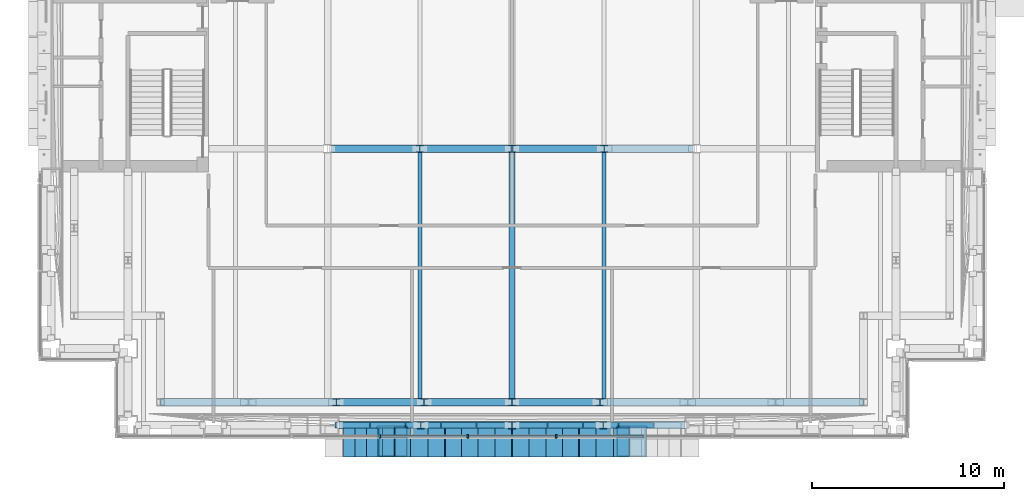
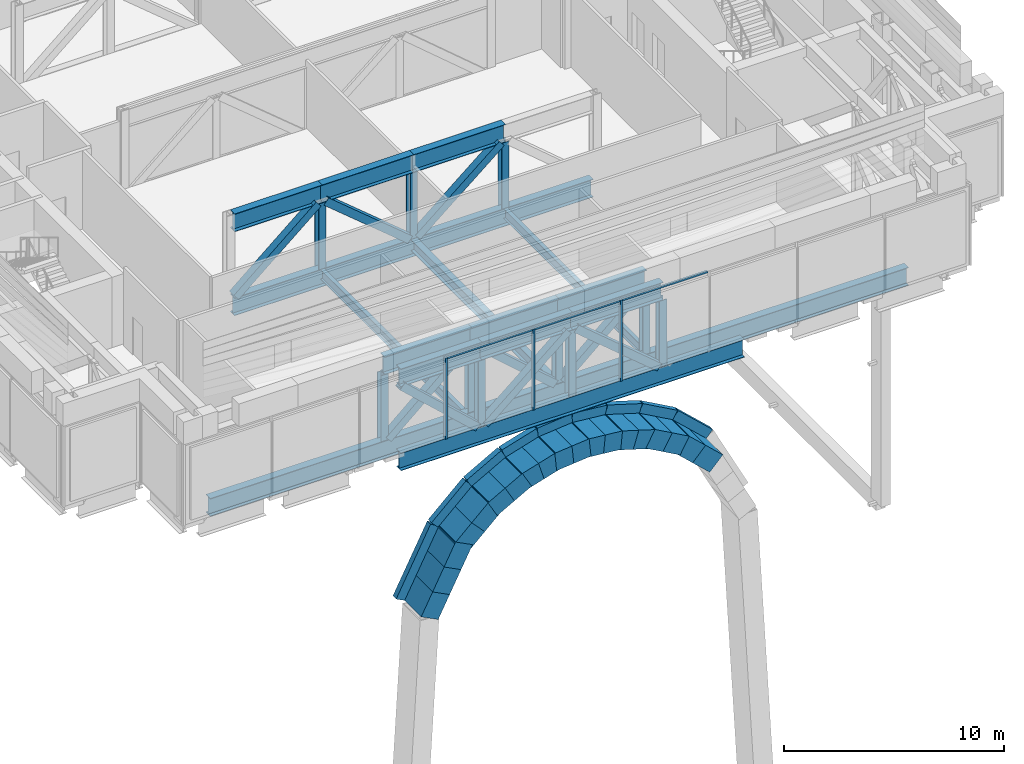
# One storey, part 3 of 39: 56 members, 12 beams, 1 element without a shape of its own.
"""IFC4 building model written with IfcOpenShell, lengths in metres."""

from ifc_helpers import new_model, si_unit, direction, frame, origin, origin_2d, place, context, subcontext, project, spatial, rectangle, hollow_rectangle, i_section, extrude, material, material_profile, profile_set, type_object, element, aggregate, save


model = new_model("IFC4")

# Units and contexts
model_context = context("Model", 3, precision=1e-05, world=origin(), true_north=direction((0.0, 1.0)))
body_context = subcontext(model_context, "Body", "Model", "MODEL_VIEW")
ifc_project = project(units=[si_unit("LENGTHUNIT", "METRE"), si_unit("AREAUNIT", "SQUARE_METRE"), si_unit("VOLUMEUNIT", "CUBIC_METRE"), si_unit("PLANEANGLEUNIT", "RADIAN"), si_unit("MASSUNIT", "GRAM", prefix="KILO")], contexts=[model_context])

# Site, building, storey
site_placement = place(None, origin())
site = spatial("IfcSite", under=ifc_project, at=site_placement, CompositionType="ELEMENT")
building_placement = place(site_placement, origin())
building = spatial("IfcBuilding", under=site, at=building_placement, Name="Cobrizo Arcos Hotel Tower", CompositionType="ELEMENT")
storey_placement = place(building_placement, frame((0.0, 0.0, 84.5)))
storey = spatial("IfcBuildingStorey", under=building, at=storey_placement, Name="L20", CompositionType="ELEMENT", Elevation=84.5)

# Beams
ifc_material_1 = material(Name="Steel ASTM A572 Grade 50", Category="steel")
ifc_material_profile_1 = material_profile(ifc_material_1, hollow_rectangle(XDim=0.300048828125, YDim=0.5, WallThickness=0.02001953125, at=origin_2d()), Name="BOX 300X500X20")
ifc_profile_set_1 = profile_set([ifc_material_profile_1], Name="Steel ASTM A572 Grade 50")
beam_type_1 = type_object("IfcBeamType", Name="BOX 300X500X20 arch rib", PredefinedType="BEAM", material=ifc_profile_set_1)
beam_1_placement = place(storey_placement, frame((-9.0, -24.0, -8.460205078125), z_axis=(0.455923660176, 0.0, 0.890018885245), x_axis=(0.0, 1.0, 0.0)))
element("IfcBeam", 1, at=beam_1_placement, inside=storey, type_object=beam_type_1, Name="Arch rib AR1, arch A, south face, no. 01", PredefinedType="BEAM", context=body_context, shape_type="SweptSolid", body=[
    extrude(hollow_rectangle(XDim=0.300048828125, YDim=0.5, WallThickness=0.02001953125, at=origin_2d()), origin(), (0.0, 0.0, 1.0), 3.9482421875),
])
beam_2_placement = place(storey_placement, frame((-7.199951171875, -24.0, -4.9462890625), z_axis=(0.73088053178, 0.0, 0.682505419952), x_axis=(0.0, 1.0, 0.0)))
element("IfcBeam", 2, at=beam_2_placement, inside=storey, type_object=beam_type_1, Name="Arch rib AR1, arch A, south face, no. 02", PredefinedType="BEAM", context=body_context, shape_type="SweptSolid", body=[
    extrude(hollow_rectangle(XDim=0.300048828125, YDim=0.5, WallThickness=0.02001953125, at=origin_2d()), origin(), (0.0, 0.0, 1.0), 2.462890625),
])
beam_3_placement = place(storey_placement, frame((-5.39990234375, -24.0, -3.265380859375), z_axis=(0.873832790044, 0.0, 0.486226547037), x_axis=(0.0, 1.0, 0.0)))
element("IfcBeam", 3, at=beam_3_placement, inside=storey, type_object=beam_type_1, Name="Arch rib AR1, arch A, south face, no. 03", PredefinedType="BEAM", context=body_context, shape_type="SweptSolid", body=[
    extrude(hollow_rectangle(XDim=0.300048828125, YDim=0.5, WallThickness=0.02001953125, at=origin_2d()), origin(), (0.0, 0.0, 1.0), 2.0595703125),
])
beam_4_placement = place(storey_placement, frame((-3.60009765625, -24.0, -2.263916015625), z_axis=(0.956599999026, 0.0, 0.291404258485), x_axis=(0.0, 1.0, 0.0)))
element("IfcBeam", 4, at=beam_4_placement, inside=storey, type_object=beam_type_1, Name="Arch rib AR1, arch A, south face, no. 04", PredefinedType="BEAM", context=body_context, shape_type="SweptSolid", body=[
    extrude(hollow_rectangle(XDim=0.300048828125, YDim=0.5, WallThickness=0.02001953125, at=origin_2d()), origin(), (0.0, 0.0, 1.0), 1.8818359375),
])
for number, where, z_axis, x_axis, name in (
    (5, (-1.800048828125, -24.0, -1.715576171875), (0.995278769418, 0.0, 0.097057566148), (0.0, 1.0, 0.0), "Arch rib AR1, arch A, south face, no. 05"),
    (6, (0.0, -24.0, -1.5400390625), (0.995278769418, 0.0, -0.097057566148), (0.0, 1.0, 0.0), "Arch rib AR1, arch A, south face, no. 06"),
):
    element("IfcBeam", number, at=place(storey_placement, frame(where, z_axis=z_axis, x_axis=x_axis)), inside=storey, type_object=beam_type_1, Name=name, PredefinedType="BEAM", context=body_context, shape_type="SweptSolid", body=[
        extrude(hollow_rectangle(XDim=0.300048828125, YDim=0.5, WallThickness=0.02001953125, at=origin_2d()), origin(), (0.0, 0.0, 1.0), 1.80859375),
    ])
beam_5_placement = place(storey_placement, frame((1.800048828125, -24.0, -1.715576171875), z_axis=(0.956599999026, 0.0, -0.291404258485), x_axis=(0.0, 1.0, 0.0)))
element("IfcBeam", 7, at=beam_5_placement, inside=storey, type_object=beam_type_1, Name="Arch rib AR1, arch A, south face, no. 07", PredefinedType="BEAM", context=body_context, shape_type="SweptSolid", body=[
    extrude(hollow_rectangle(XDim=0.300048828125, YDim=0.5, WallThickness=0.02001953125, at=origin_2d()), origin(), (0.0, 0.0, 1.0), 1.8818359375),
])
beam_6_placement = place(storey_placement, frame((3.60009765625, -24.0, -2.263916015625), z_axis=(0.873832790044, 0.0, -0.486226547037), x_axis=(0.0, 1.0, 0.0)))
element("IfcBeam", 8, at=beam_6_placement, inside=storey, type_object=beam_type_1, Name="Arch rib AR1, arch A, south face, no. 08", PredefinedType="BEAM", context=body_context, shape_type="SweptSolid", body=[
    extrude(hollow_rectangle(XDim=0.300048828125, YDim=0.5, WallThickness=0.02001953125, at=origin_2d()), origin(), (0.0, 0.0, 1.0), 2.0595703125),
])
beam_7_placement = place(storey_placement, frame((5.39990234375, -24.0, -3.265380859375), z_axis=(0.73088053178, 0.0, -0.682505419952), x_axis=(0.0, 1.0, 0.0)))
element("IfcBeam", 9, at=beam_7_placement, inside=storey, type_object=beam_type_1, Name="Arch rib AR1, arch A, south face, no. 09", PredefinedType="BEAM", context=body_context, shape_type="SweptSolid", body=[
    extrude(hollow_rectangle(XDim=0.300048828125, YDim=0.5, WallThickness=0.02001953125, at=origin_2d()), origin(), (0.0, 0.0, 1.0), 2.462890625),
])

# Curtain wall, members
ifc_material_2 = material(Name="Aluminium 6063-T6 anodised bronze", Category="aluminium")
curtain_wall_type = type_object("IfcCurtainWallType", Name="CW-D plant louvre wall", PredefinedType="NOTDEFINED", material=ifc_material_2)
curtain_wall_placement = place(storey_placement, origin())
curtain_wall = element("IfcCurtainWall", 10, at=curtain_wall_placement, inside=storey, type_object=curtain_wall_type, Name="CW-D L20 S face", PredefinedType="NOTDEFINED")
ifc_material_profile_2 = material_profile(ifc_material_2, rectangle(XDim=0.14990234375, YDim=0.10009765625, at=origin_2d()), Name="CW-D mullion 150x100")
ifc_profile_set_2 = profile_set([ifc_material_profile_2], Name="Aluminium 6063-T6 anodised bronze")
member_type_1 = type_object("IfcMemberType", Name="CW-D mullion 150x100", PredefinedType="MULLION", material=ifc_profile_set_2)
member_1_placement = place(storey_placement, frame((-6.88330078125, -24.574951171875, 0.0), z_axis=(0.0, 0.0, 1.0), x_axis=(0.0, -1.0, 0.0)))
member_1 = element("IfcMember", 11, at=member_1_placement, type_object=member_type_1, Name="CW-D mullion 4", PredefinedType="MULLION", context=body_context, shape_type="SweptSolid", body=[
    extrude(rectangle(XDim=0.14990234375, YDim=0.10009765625, at=origin_2d()), origin(), (0.0, 0.0, 1.0), 4.5),
])
member_2_placement = place(storey_placement, frame((-2.29443359375, -24.574951171875, 0.0), z_axis=(0.0, 0.0, 1.0), x_axis=(0.0, -1.0, 0.0)))
member_2 = element("IfcMember", 12, at=member_2_placement, type_object=member_type_1, Name="CW-D mullion 5", PredefinedType="MULLION", context=body_context, shape_type="SweptSolid", body=[
    extrude(rectangle(XDim=0.14990234375, YDim=0.10009765625, at=origin_2d()), origin(), (0.0, 0.0, 1.0), 4.5),
])
member_3_placement = place(storey_placement, frame((2.29443359375, -24.574951171875, 0.0), z_axis=(0.0, 0.0, 1.0), x_axis=(0.0, -1.0, 0.0)))
member_3 = element("IfcMember", 13, at=member_3_placement, type_object=member_type_1, Name="CW-D mullion 6", PredefinedType="MULLION", context=body_context, shape_type="SweptSolid", body=[
    extrude(rectangle(XDim=0.14990234375, YDim=0.10009765625, at=origin_2d()), origin(), (0.0, 0.0, 1.0), 4.5),
])
ifc_material_profile_3 = material_profile(ifc_material_2, rectangle(XDim=0.10009765625, YDim=0.10009765625, at=origin_2d()), Name="CW-D transom 100x100")
ifc_profile_set_3 = profile_set([ifc_material_profile_3], Name="Aluminium 6063-T6 anodised bronze")
member_type_2 = type_object("IfcMemberType", Name="CW-D transom 100x100", PredefinedType="USERDEFINED", material=ifc_profile_set_3)
member_4_placement = place(storey_placement, frame((-6.833251953125, -24.574951171875, 4.449951171875), z_axis=(1.0, 0.0, 0.0), x_axis=(0.0, 1.0, 0.0)))
member_4 = element("IfcMember", 14, at=member_4_placement, type_object=member_type_2, Name="CW-D transom 816", ObjectType="TRANSOM", PredefinedType="USERDEFINED", context=body_context, shape_type="SweptSolid", body=[
    extrude(rectangle(XDim=0.10009765625, YDim=0.10009765625, at=origin_2d()), origin(), (0.0, 0.0, 1.0), 4.48876953125),
])
member_5_placement = place(storey_placement, frame((-2.244384765625, -24.574951171875, 4.449951171875), z_axis=(1.0, 0.0, 0.0), x_axis=(0.0, 1.0, 0.0)))
member_5 = element("IfcMember", 15, at=member_5_placement, type_object=member_type_2, Name="CW-D transom 817", ObjectType="TRANSOM", PredefinedType="USERDEFINED", context=body_context, shape_type="SweptSolid", body=[
    extrude(rectangle(XDim=0.10009765625, YDim=0.10009765625, at=origin_2d()), origin(), (0.0, 0.0, 1.0), 4.48876953125),
])
member_6_placement = place(storey_placement, frame((2.344482421875, -24.574951171875, 4.449951171875), z_axis=(1.0, 0.0, 0.0), x_axis=(0.0, 1.0, 0.0)))
member_6 = element("IfcMember", 16, at=member_6_placement, type_object=member_type_2, Name="CW-D transom 818", ObjectType="TRANSOM", PredefinedType="USERDEFINED", context=body_context, shape_type="SweptSolid", body=[
    extrude(rectangle(XDim=0.10009765625, YDim=0.10009765625, at=origin_2d()), origin(), (0.0, 0.0, 1.0), 4.48876953125),
])
aggregate(curtain_wall, [member_1, member_2, member_3, member_4, member_5, member_6])

# Members
ifc_material_3 = material(Name="Steel ASTM A500 Grade C", Category="steel")
ifc_material_profile_4 = material_profile(ifc_material_3, hollow_rectangle(XDim=0.406494140625, YDim=0.406494140625, WallThickness=0.014892578125, at=origin_2d()), Name="HSS16X16X5/8")
ifc_profile_set_4 = profile_set([ifc_material_profile_4], Name="Steel ASTM A500 Grade C")
member_type_3 = type_object("IfcMemberType", Name="HSS16X16X5/8 truss diagonal", PredefinedType="BRACE", material=ifc_profile_set_4)
member_7_placement = place(storey_placement, frame((-8.919921875, -24.0, 3.359375), z_axis=(0.735279996006, 0.0, -0.677763474579), x_axis=(0.0, 1.0, 0.0)))
element("IfcMember", 17, at=member_7_placement, inside=storey, type_object=member_type_3, Name="Belt truss diagonal TD1, L20, no. 003", PredefinedType="BRACE", context=body_context, shape_type="SweptSolid", body=[
    extrude(hollow_rectangle(XDim=0.406494140625, YDim=0.406494140625, WallThickness=0.014892578125, at=origin_2d()), origin(), (0.0, 0.0, 1.0), 5.399169921875),
])
for number, where, z_axis, x_axis, name in (
    (18, (-4.550048828125, -24.0, -0.300048828125), (0.765241871015, 0.0, 0.643742867025), (0.0, 1.0, 0.0), "Belt truss diagonal TD1, L20, no. 004"),
    (19, (0.199951171875, -24.0, 3.359375), (0.765241871015, 0.0, -0.643742867025), (0.0, 1.0, 0.0), "Belt truss diagonal TD1, L20, no. 005"),
):
    element("IfcMember", number, at=place(storey_placement, frame(where, z_axis=z_axis, x_axis=x_axis)), inside=storey, type_object=member_type_3, Name=name, PredefinedType="BRACE", context=body_context, shape_type="SweptSolid", body=[
        extrude(hollow_rectangle(XDim=0.406494140625, YDim=0.406494140625, WallThickness=0.014892578125, at=origin_2d()), origin(), (0.0, 0.0, 1.0), 5.6845703125),
    ])
for number, where, z_axis, x_axis, name in (
    (20, (-8.949951171875, -22.800048828125, -0.300048828125), (0.752017979383, 0.0, 0.65914259359), (0.0, 1.0, 0.0), "Belt truss diagonal TD1, L20, no. 035"),
    (21, (-4.375, -22.800048828125, 3.359375), (0.752017979383, 0.0, -0.65914259359), (0.0, 1.0, 0.0), "Belt truss diagonal TD1, L20, no. 036"),
    (22, (0.199951171875, -22.800048828125, -0.300048828125), (0.752017979383, 0.0, 0.65914259359), (0.0, 1.0, 0.0), "Belt truss diagonal TD1, L20, no. 037"),
):
    element("IfcMember", number, at=place(storey_placement, frame(where, z_axis=z_axis, x_axis=x_axis)), inside=storey, type_object=member_type_3, Name=name, PredefinedType="BRACE", context=body_context, shape_type="SweptSolid", body=[
        extrude(hollow_rectangle(XDim=0.406494140625, YDim=0.406494140625, WallThickness=0.014892578125, at=origin_2d()), origin(), (0.0, 0.0, 1.0), 5.5517578125),
    ])
member_8_placement = place(storey_placement, frame((-9.3154296875, -9.60009765625, -0.300048828125), z_axis=(0.762696810588, 0.0, 0.646756194496), x_axis=(0.0, 1.0, 0.0)))
element("IfcMember", 23, at=member_8_placement, inside=storey, type_object=member_type_3, Name="Outrigger diagonal TD1, L20, no. 013", PredefinedType="BRACE", context=body_context, shape_type="SweptSolid", body=[
    extrude(hollow_rectangle(XDim=0.406494140625, YDim=0.406494140625, WallThickness=0.014892578125, at=origin_2d()), origin(), (0.0, 0.0, 1.0), 5.658203125),
])
for number, where, z_axis, x_axis, name in (
    (24, (-4.60009765625, -9.60009765625, 3.359375), (0.768853804664, 0.0, -0.639424606231), (0.0, 1.0, 0.0), "Outrigger diagonal TD1, L20, no. 014"),
    (25, (0.199951171875, -9.60009765625, -0.300048828125), (0.768853804664, 0.0, 0.639424606231), (0.0, 1.0, 0.0), "Outrigger diagonal TD1, L20, no. 015"),
):
    element("IfcMember", number, at=place(storey_placement, frame(where, z_axis=z_axis, x_axis=x_axis)), inside=storey, type_object=member_type_3, Name=name, PredefinedType="BRACE", context=body_context, shape_type="SweptSolid", body=[
        extrude(hollow_rectangle(XDim=0.406494140625, YDim=0.406494140625, WallThickness=0.014892578125, at=origin_2d()), origin(), (0.0, 0.0, 1.0), 5.722900390625),
    ])
ifc_material_4 = material(Name="Steel ASTM A572 Grade 50 verdigris painted", Category="steel")
ifc_material_profile_5 = material_profile(ifc_material_4, hollow_rectangle(XDim=1.60009765625, YDim=1.0, WallThickness=0.050048828125, at=origin_2d()), Name="PF-2 arch ring frame box 1600x1000x50")
ifc_profile_set_5 = profile_set([ifc_material_profile_5], Name="Steel ASTM A572 Grade 50 verdigris painted")
member_type_4 = type_object("IfcMemberType", Name="PF-2 arch ring frame box 1600x1000x50", PredefinedType="USERDEFINED", material=ifc_profile_set_5)
member_9_placement = place(storey_placement, frame((-8.33251953125, -24.85009765625, -8.80224609375), z_axis=(0.455947548902, 0.0, 0.890006647531), x_axis=(0.0, 1.0, 0.0)))
element("IfcMember", 26, at=member_9_placement, inside=storey, type_object=member_type_4, Name="A ring frame lintel S1", ObjectType="PORTAL FRAME", PredefinedType="USERDEFINED", context=body_context, shape_type="SweptSolid", body=[
    extrude(hollow_rectangle(XDim=1.60009765625, YDim=1.0, WallThickness=0.050048828125, at=origin_2d()), origin(), (0.0, 0.0, 1.0), 1.316162109375),
])
member_10_placement = place(storey_placement, frame((-7.732421875, -24.85009765625, -7.630859375), z_axis=(0.455875869806, 0.0, 0.890043364859), x_axis=(0.0, 1.0, 0.0)))
element("IfcMember", 27, at=member_10_placement, inside=storey, type_object=member_type_4, Name="A ring frame lintel S2", ObjectType="PORTAL FRAME", PredefinedType="USERDEFINED", context=body_context, shape_type="SweptSolid", body=[
    extrude(hollow_rectangle(XDim=1.60009765625, YDim=1.0, WallThickness=0.050048828125, at=origin_2d()), origin(), (0.0, 0.0, 1.0), 1.31591796875),
])
member_11_placement = place(storey_placement, frame((-7.132568359375, -24.85009765625, -6.459716796875), z_axis=(0.455872286365, 0.0, 0.89004520027), x_axis=(0.0, 1.0, 0.0)))
element("IfcMember", 28, at=member_11_placement, inside=storey, type_object=member_type_4, Name="A ring frame lintel S3", ObjectType="PORTAL FRAME", PredefinedType="USERDEFINED", context=body_context, shape_type="SweptSolid", body=[
    extrude(hollow_rectangle(XDim=1.60009765625, YDim=1.0, WallThickness=0.050048828125, at=origin_2d()), origin(), (0.0, 0.0, 1.0), 1.31640625),
])
for number, where, z_axis, x_axis, name in (
    (29, (-6.68798828125, -24.85009765625, -5.494384765625), (0.730883805112, 0.0, 0.682501914594), (0.0, 1.0, 0.0), "A ring frame lintel S4"),
    (30, (-5.7880859375, -24.85009765625, -4.654052734375), (0.730883805112, 0.0, 0.682501914594), (0.0, 1.0, 0.0), "A ring frame lintel S5"),
):
    element("IfcMember", number, at=place(storey_placement, frame(where, z_axis=z_axis, x_axis=x_axis)), inside=storey, type_object=member_type_4, Name=name, ObjectType="PORTAL FRAME", PredefinedType="USERDEFINED", context=body_context, shape_type="SweptSolid", body=[
        extrude(hollow_rectangle(XDim=1.60009765625, YDim=1.0, WallThickness=0.050048828125, at=origin_2d()), origin(), (0.0, 0.0, 1.0), 1.231201171875),
    ])
member_12_placement = place(storey_placement, frame((-5.035400390625, -24.85009765625, -3.9208984375), z_axis=(0.873832790044, 0.0, 0.486226547037), x_axis=(0.0, 1.0, 0.0)))
element("IfcMember", 31, at=member_12_placement, inside=storey, type_object=member_type_4, Name="A ring frame lintel S6", ObjectType="PORTAL FRAME", PredefinedType="USERDEFINED", context=body_context, shape_type="SweptSolid", body=[
    extrude(hollow_rectangle(XDim=1.60009765625, YDim=1.0, WallThickness=0.050048828125, at=origin_2d()), origin(), (0.0, 0.0, 1.0), 1.02978515625),
])
member_13_placement = place(storey_placement, frame((-4.135498046875, -24.85009765625, -3.420166015625), z_axis=(0.87388881937, 0.0, 0.486125839037), x_axis=(0.0, 1.0, 0.0)))
element("IfcMember", 32, at=member_13_placement, inside=storey, type_object=member_type_4, Name="A ring frame lintel S7", ObjectType="PORTAL FRAME", PredefinedType="USERDEFINED", context=body_context, shape_type="SweptSolid", body=[
    extrude(hollow_rectangle(XDim=1.60009765625, YDim=1.0, WallThickness=0.050048828125, at=origin_2d()), origin(), (0.0, 0.0, 1.0), 1.030029296875),
])
member_14_placement = place(storey_placement, frame((-3.38134765625, -24.85009765625, -2.9814453125), z_axis=(0.956588979605, 0.0, 0.29144042976), x_axis=(0.0, 1.0, 0.0)))
element("IfcMember", 33, at=member_14_placement, inside=storey, type_object=member_type_4, Name="A ring frame lintel S8", ObjectType="PORTAL FRAME", PredefinedType="USERDEFINED", context=body_context, shape_type="SweptSolid", body=[
    extrude(hollow_rectangle(XDim=1.60009765625, YDim=1.0, WallThickness=0.050048828125, at=origin_2d()), origin(), (0.0, 0.0, 1.0), 0.940673828125),
])
member_15_placement = place(storey_placement, frame((-2.4814453125, -24.85009765625, -2.707275390625), z_axis=(0.956611014345, 0.0, 0.291368095772), x_axis=(0.0, 1.0, 0.0)))
element("IfcMember", 34, at=member_15_placement, inside=storey, type_object=member_type_4, Name="A ring frame lintel S9", ObjectType="PORTAL FRAME", PredefinedType="USERDEFINED", context=body_context, shape_type="SweptSolid", body=[
    extrude(hollow_rectangle(XDim=1.60009765625, YDim=1.0, WallThickness=0.050048828125, at=origin_2d()), origin(), (0.0, 0.0, 1.0), 0.94091796875),
])
member_16_placement = place(storey_placement, frame((-1.727294921875, -24.85009765625, -2.462158203125), z_axis=(0.995266995553, 0.0, 0.097178225766), x_axis=(0.0, 1.0, 0.0)))
element("IfcMember", 35, at=member_16_placement, inside=storey, type_object=member_type_4, Name="A ring frame lintel S10", ObjectType="PORTAL FRAME", PredefinedType="USERDEFINED", context=body_context, shape_type="SweptSolid", body=[
    extrude(hollow_rectangle(XDim=1.60009765625, YDim=1.0, WallThickness=0.050048828125, at=origin_2d()), origin(), (0.0, 0.0, 1.0), 0.904541015625),
])
for number, where, z_axis, x_axis, name in (
    (36, (-0.8271484375, -24.85009765625, -2.374267578125), (0.99529053212, 0.0, 0.096936869515), (0.0, 1.0, 0.0), "A ring frame lintel S11"),
    (37, (-0.07275390625, -24.85009765625, -2.28662109375), (0.99529053212, 0.0, -0.096936869515), (0.0, 1.0, 0.0), "A ring frame lintel S12"),
):
    element("IfcMember", number, at=place(storey_placement, frame(where, z_axis=z_axis, x_axis=x_axis)), inside=storey, type_object=member_type_4, Name=name, ObjectType="PORTAL FRAME", PredefinedType="USERDEFINED", context=body_context, shape_type="SweptSolid", body=[
        extrude(hollow_rectangle(XDim=1.60009765625, YDim=1.0, WallThickness=0.050048828125, at=origin_2d()), origin(), (0.0, 0.0, 1.0), 0.904052734375),
    ])
member_17_placement = place(storey_placement, frame((0.8271484375, -24.85009765625, -2.374267578125), z_axis=(0.995266995553, 0.0, -0.097178225766), x_axis=(0.0, 1.0, 0.0)))
element("IfcMember", 38, at=member_17_placement, inside=storey, type_object=member_type_4, Name="A ring frame lintel S13", ObjectType="PORTAL FRAME", PredefinedType="USERDEFINED", context=body_context, shape_type="SweptSolid", body=[
    extrude(hollow_rectangle(XDim=1.60009765625, YDim=1.0, WallThickness=0.050048828125, at=origin_2d()), origin(), (0.0, 0.0, 1.0), 0.904541015625),
])
member_18_placement = place(storey_placement, frame((1.581298828125, -24.85009765625, -2.43310546875), z_axis=(0.956611014345, 0.0, -0.291368095772), x_axis=(0.0, 1.0, 0.0)))
element("IfcMember", 39, at=member_18_placement, inside=storey, type_object=member_type_4, Name="A ring frame lintel S14", ObjectType="PORTAL FRAME", PredefinedType="USERDEFINED", context=body_context, shape_type="SweptSolid", body=[
    extrude(hollow_rectangle(XDim=1.60009765625, YDim=1.0, WallThickness=0.050048828125, at=origin_2d()), origin(), (0.0, 0.0, 1.0), 0.94091796875),
])
member_19_placement = place(storey_placement, frame((2.4814453125, -24.85009765625, -2.707275390625), z_axis=(0.956588979605, 0.0, -0.29144042976), x_axis=(0.0, 1.0, 0.0)))
element("IfcMember", 40, at=member_19_placement, inside=storey, type_object=member_type_4, Name="A ring frame lintel S15", ObjectType="PORTAL FRAME", PredefinedType="USERDEFINED", context=body_context, shape_type="SweptSolid", body=[
    extrude(hollow_rectangle(XDim=1.60009765625, YDim=1.0, WallThickness=0.050048828125, at=origin_2d()), origin(), (0.0, 0.0, 1.0), 0.940673828125),
])
member_20_placement = place(storey_placement, frame((3.2353515625, -24.85009765625, -2.91943359375), z_axis=(0.87388881937, 0.0, -0.486125839037), x_axis=(0.0, 1.0, 0.0)))
element("IfcMember", 41, at=member_20_placement, inside=storey, type_object=member_type_4, Name="A ring frame lintel S16", ObjectType="PORTAL FRAME", PredefinedType="USERDEFINED", context=body_context, shape_type="SweptSolid", body=[
    extrude(hollow_rectangle(XDim=1.60009765625, YDim=1.0, WallThickness=0.050048828125, at=origin_2d()), origin(), (0.0, 0.0, 1.0), 1.030029296875),
])
member_21_placement = place(storey_placement, frame((4.135498046875, -24.85009765625, -3.420166015625), z_axis=(0.873832790044, 0.0, -0.486226547037), x_axis=(0.0, 1.0, 0.0)))
element("IfcMember", 42, at=member_21_placement, inside=storey, type_object=member_type_4, Name="A ring frame lintel S17", ObjectType="PORTAL FRAME", PredefinedType="USERDEFINED", context=body_context, shape_type="SweptSolid", body=[
    extrude(hollow_rectangle(XDim=1.60009765625, YDim=1.0, WallThickness=0.050048828125, at=origin_2d()), origin(), (0.0, 0.0, 1.0), 1.02978515625),
])
for number, where, z_axis, x_axis, name in (
    (43, (4.88818359375, -24.85009765625, -3.813720703125), (0.730883805112, 0.0, -0.682501914594), (0.0, 1.0, 0.0), "A ring frame lintel S18"),
    (44, (5.7880859375, -24.85009765625, -4.654052734375), (0.730883805112, 0.0, -0.682501914594), (0.0, 1.0, 0.0), "A ring frame lintel S19"),
):
    element("IfcMember", number, at=place(storey_placement, frame(where, z_axis=z_axis, x_axis=x_axis)), inside=storey, type_object=member_type_4, Name=name, ObjectType="PORTAL FRAME", PredefinedType="USERDEFINED", context=body_context, shape_type="SweptSolid", body=[
        extrude(hollow_rectangle(XDim=1.60009765625, YDim=1.0, WallThickness=0.050048828125, at=origin_2d()), origin(), (0.0, 0.0, 1.0), 1.231201171875),
    ])
ifc_material_5 = material(Name="Steel ASTM A992 Grade 50", Category="steel")
ifc_material_profile_6 = material_profile(ifc_material_5, i_section(OverallWidth=0.373291015625, OverallDepth=0.373291015625, WebThickness=0.016357421875, FlangeThickness=0.026123046875, at=origin_2d()), Name="W14X132")
ifc_profile_set_6 = profile_set([ifc_material_profile_6], Name="Steel ASTM A992 Grade 50")
member_type_5 = type_object("IfcMemberType", Name="W14X132 truss post", PredefinedType="POST", material=ifc_profile_set_6)
for number, where, z_axis, x_axis, name in (
    (45, (-4.75, -24.0, -0.300048828125), (0.0, 0.0, 1.0), (1.0, 0.0, 0.0), "Truss post TP1, L20, no. 001"),
    (46, (0.0, -24.0, -0.300048828125), (0.0, 0.0, 1.0), (1.0, 0.0, 0.0), "Truss post TP1, L20, no. 002"),
    (47, (4.75, -24.0, -0.300048828125), (0.0, 0.0, 1.0), (1.0, 0.0, 0.0), "Truss post TP1, L20, no. 003"),
    (48, (-9.14990234375, -22.800048828125, -0.300048828125), (0.0, 0.0, 1.0), (1.0, 0.0, 0.0), "Truss post TP1, L20, no. 009"),
    (49, (-4.574951171875, -22.800048828125, -0.300048828125), (0.0, 0.0, 1.0), (1.0, 0.0, 0.0), "Truss post TP1, L20, no. 010"),
    (50, (0.0, -22.800048828125, -0.300048828125), (0.0, 0.0, 1.0), (1.0, 0.0, 0.0), "Truss post TP1, L20, no. 011"),
    (51, (4.574951171875, -22.800048828125, -0.300048828125), (0.0, 0.0, 1.0), (1.0, 0.0, 0.0), "Truss post TP1, L20, no. 012"),
    (52, (-4.800048828125, -9.60009765625, -0.300048828125), (0.0, 0.0, 1.0), (1.0, 0.0, 0.0), "Truss post TP1, L20, no. 041"),
    (53, (0.0, -9.60009765625, -0.300048828125), (0.0, 0.0, 1.0), (1.0, 0.0, 0.0), "Truss post TP1, L20, no. 042"),
    (54, (4.800048828125, -9.60009765625, -0.300048828125), (0.0, 0.0, 1.0), (1.0, 0.0, 0.0), "Truss post TP1, L20, no. 043"),
):
    element("IfcMember", number, at=place(storey_placement, frame(where, z_axis=z_axis, x_axis=x_axis)), inside=storey, type_object=member_type_5, Name=name, PredefinedType="POST", context=body_context, shape_type="SweptSolid", body=[
        extrude(i_section(OverallWidth=0.373291015625, OverallDepth=0.373291015625, WebThickness=0.016357421875, FlangeThickness=0.026123046875, at=origin_2d()), origin(), (0.0, 0.0, 1.0), 3.659423828125),
    ])

# Beams
ifc_material_profile_7 = material_profile(ifc_material_5, i_section(OverallWidth=0.209228515625, OverallDepth=0.533447265625, WebThickness=0.01025390625, FlangeThickness=0.015625, at=origin_2d()), Name="W21X62")
ifc_profile_set_7 = profile_set([ifc_material_profile_7], Name="Steel ASTM A992 Grade 50")
beam_type_2 = type_object("IfcBeamType", Name="W21X62 joist", PredefinedType="JOIST", material=ifc_profile_set_7)
for number, where, z_axis, x_axis, name in (
    (55, (-4.800048828125, -22.599609375, -0.566650390625), (0.0, 1.0, 0.0), (-1.0, 0.0, 0.0), "Floor joist J1, L20, no. 009"),
    (56, (4.800048828125, -22.599609375, -0.566650390625), (0.0, 1.0, 0.0), (-1.0, 0.0, 0.0), "Floor joist J1, L20, no. 013"),
):
    element("IfcBeam", number, at=place(storey_placement, frame(where, z_axis=z_axis, x_axis=x_axis)), inside=storey, type_object=beam_type_2, Name=name, PredefinedType="JOIST", context=body_context, shape_type="SweptSolid", body=[
        extrude(i_section(OverallWidth=0.209228515625, OverallDepth=0.533447265625, WebThickness=0.01025390625, FlangeThickness=0.015625, at=origin_2d()), origin(), (0.0, 0.0, 1.0), 12.799072265625),
    ])
ifc_material_profile_8 = material_profile(ifc_material_5, i_section(OverallWidth=0.32763671875, OverallDepth=0.622314453125, WebThickness=0.015380859375, FlangeThickness=0.0244140625, at=origin_2d()), Name="W24X131")
ifc_profile_set_8 = profile_set([ifc_material_profile_8], Name="Steel ASTM A992 Grade 50")
beam_type_3 = type_object("IfcBeamType", Name="W24X131 girder", PredefinedType="BEAM", material=ifc_profile_set_8)
beam_8_placement = place(storey_placement, frame((0.0, -22.599609375, -0.611083984375), z_axis=(0.0, 1.0, 0.0), x_axis=(-1.0, 0.0, 0.0)))
element("IfcBeam", 57, at=beam_8_placement, inside=storey, type_object=beam_type_3, Name="Floor girder G1, L20, no. 011", PredefinedType="BEAM", context=body_context, shape_type="SweptSolid", body=[
    extrude(i_section(OverallWidth=0.32763671875, OverallDepth=0.622314453125, WebThickness=0.015380859375, FlangeThickness=0.0244140625, at=origin_2d()), origin(), (0.0, 0.0, 1.0), 12.799072265625),
])

# Members
ifc_material_profile_9 = material_profile(ifc_material_5, i_section(OverallWidth=0.4013671875, OverallDepth=0.990478515625, WebThickness=0.0166015625, FlangeThickness=0.025390625, at=origin_2d()), Name="W40X215")
ifc_profile_set_9 = profile_set([ifc_material_profile_9], Name="Steel ASTM A992 Grade 50")
member_type_6 = type_object("IfcMemberType", Name="W40X215 belt truss chord", PredefinedType="CHORD", material=ifc_profile_set_9)
member_22_placement = place(storey_placement, frame((-9.0, -24.0, -0.79541015625), z_axis=(1.0, 0.0, 0.0), x_axis=(0.0, 1.0, 0.0)))
element("IfcMember", 58, at=member_22_placement, inside=storey, type_object=member_type_6, Name="Belt truss bottom chord TC1, L20, no. 003", PredefinedType="CHORD", context=body_context, shape_type="SweptSolid", body=[
    extrude(i_section(OverallWidth=0.4013671875, OverallDepth=0.990478515625, WebThickness=0.0166015625, FlangeThickness=0.025390625, at=origin_2d()), origin(), (0.0, 0.0, 1.0), 18.0),
])
member_23_placement = place(storey_placement, frame((-9.0, -24.0, 3.854736328125), z_axis=(1.0, 0.0, 0.0), x_axis=(0.0, 1.0, 0.0)))
element("IfcMember", 59, at=member_23_placement, inside=storey, type_object=member_type_6, Name="Belt truss top chord TC1, L20, no. 003", PredefinedType="CHORD", context=body_context, shape_type="SweptSolid", body=[
    extrude(i_section(OverallWidth=0.4013671875, OverallDepth=0.990478515625, WebThickness=0.0166015625, FlangeThickness=0.025390625, at=origin_2d()), origin(), (0.0, 0.0, 1.0), 4.25),
])
for number, where, z_axis, x_axis, name in (
    (60, (-4.75, -24.0, 3.854736328125), (1.0, 0.0, 0.0), (0.0, 1.0, 0.0), "Belt truss top chord TC1, L20, no. 004"),
    (61, (0.0, -24.0, 3.854736328125), (1.0, 0.0, 0.0), (0.0, 1.0, 0.0), "Belt truss top chord TC1, L20, no. 005"),
):
    element("IfcMember", number, at=place(storey_placement, frame(where, z_axis=z_axis, x_axis=x_axis)), inside=storey, type_object=member_type_6, Name=name, PredefinedType="CHORD", context=body_context, shape_type="SweptSolid", body=[
        extrude(i_section(OverallWidth=0.4013671875, OverallDepth=0.990478515625, WebThickness=0.0166015625, FlangeThickness=0.025390625, at=origin_2d()), origin(), (0.0, 0.0, 1.0), 4.75),
    ])
member_24_placement = place(storey_placement, frame((-18.300048828125, -22.800048828125, -0.79541015625), z_axis=(1.0, 0.0, 0.0), x_axis=(0.0, 1.0, 0.0)))
element("IfcMember", 62, at=member_24_placement, inside=storey, type_object=member_type_6, Name="Belt truss bottom chord TC1, L20, no. 027", PredefinedType="CHORD", context=body_context, shape_type="SweptSolid", body=[
    extrude(i_section(OverallWidth=0.4013671875, OverallDepth=0.990478515625, WebThickness=0.0166015625, FlangeThickness=0.025390625, at=origin_2d()), origin(), (0.0, 0.0, 1.0), 36.60009765625),
])
for number, where, z_axis, x_axis, name in (
    (63, (-9.14990234375, -22.800048828125, 3.854736328125), (1.0, 0.0, 0.0), (0.0, 1.0, 0.0), "Belt truss top chord TC1, L20, no. 035"),
    (64, (-4.574951171875, -22.800048828125, 3.854736328125), (1.0, 0.0, 0.0), (0.0, 1.0, 0.0), "Belt truss top chord TC1, L20, no. 036"),
    (65, (0.0, -22.800048828125, 3.854736328125), (1.0, 0.0, 0.0), (0.0, 1.0, 0.0), "Belt truss top chord TC1, L20, no. 037"),
):
    element("IfcMember", number, at=place(storey_placement, frame(where, z_axis=z_axis, x_axis=x_axis)), inside=storey, type_object=member_type_6, Name=name, PredefinedType="CHORD", context=body_context, shape_type="SweptSolid", body=[
        extrude(i_section(OverallWidth=0.4013671875, OverallDepth=0.990478515625, WebThickness=0.0166015625, FlangeThickness=0.025390625, at=origin_2d()), origin(), (0.0, 0.0, 1.0), 4.574951171875),
    ])
member_25_placement = place(storey_placement, frame((-9.3955078125, -9.60009765625, -0.79541015625), z_axis=(1.0, 0.0, 0.0), x_axis=(0.0, 1.0, 0.0)))
element("IfcMember", 66, at=member_25_placement, inside=storey, type_object=member_type_6, Name="Outrigger bottom chord TC1, L20, no. 009", PredefinedType="CHORD", context=body_context, shape_type="SweptSolid", body=[
    extrude(i_section(OverallWidth=0.4013671875, OverallDepth=0.990478515625, WebThickness=0.0166015625, FlangeThickness=0.025390625, at=origin_2d()), origin(), (0.0, 0.0, 1.0), 18.791015625),
])
member_26_placement = place(storey_placement, frame((-9.3955078125, -9.60009765625, 3.854736328125), z_axis=(1.0, 0.0, 0.0), x_axis=(0.0, 1.0, 0.0)))
element("IfcMember", 67, at=member_26_placement, inside=storey, type_object=member_type_6, Name="Outrigger top chord TC1, L20, no. 013", PredefinedType="CHORD", context=body_context, shape_type="SweptSolid", body=[
    extrude(i_section(OverallWidth=0.4013671875, OverallDepth=0.990478515625, WebThickness=0.0166015625, FlangeThickness=0.025390625, at=origin_2d()), origin(), (0.0, 0.0, 1.0), 4.595458984375),
])
for number, where, z_axis, x_axis, name in (
    (68, (-4.800048828125, -9.60009765625, 3.854736328125), (1.0, 0.0, 0.0), (0.0, 1.0, 0.0), "Outrigger top chord TC1, L20, no. 014"),
    (69, (0.0, -9.60009765625, 3.854736328125), (1.0, 0.0, 0.0), (0.0, 1.0, 0.0), "Outrigger top chord TC1, L20, no. 015"),
):
    element("IfcMember", number, at=place(storey_placement, frame(where, z_axis=z_axis, x_axis=x_axis)), inside=storey, type_object=member_type_6, Name=name, PredefinedType="CHORD", context=body_context, shape_type="SweptSolid", body=[
        extrude(i_section(OverallWidth=0.4013671875, OverallDepth=0.990478515625, WebThickness=0.0166015625, FlangeThickness=0.025390625, at=origin_2d()), origin(), (0.0, 0.0, 1.0), 4.800048828125),
    ])

save(model, "model.ifc")
